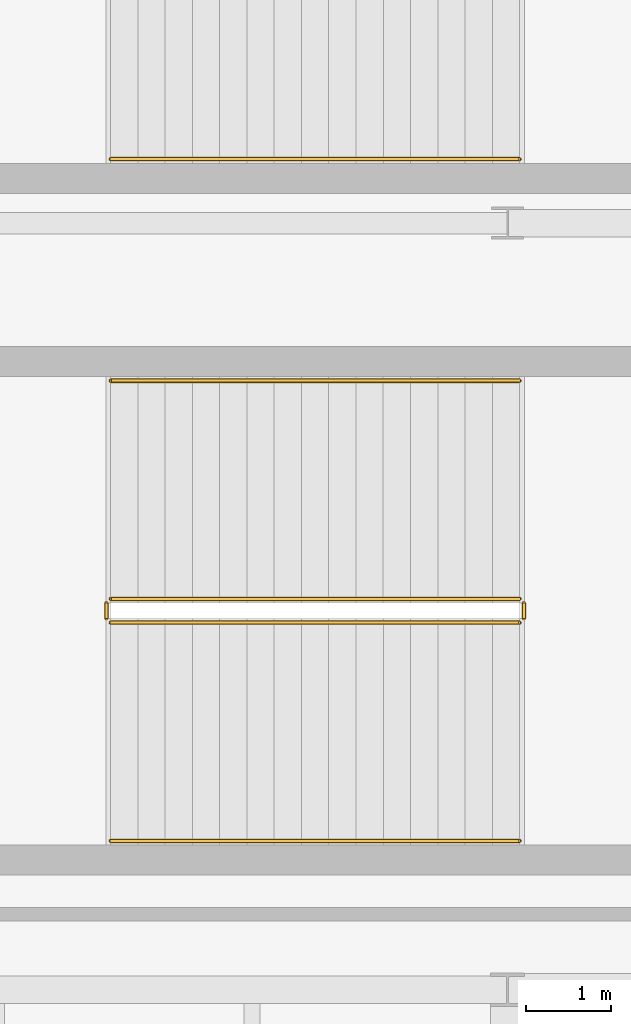
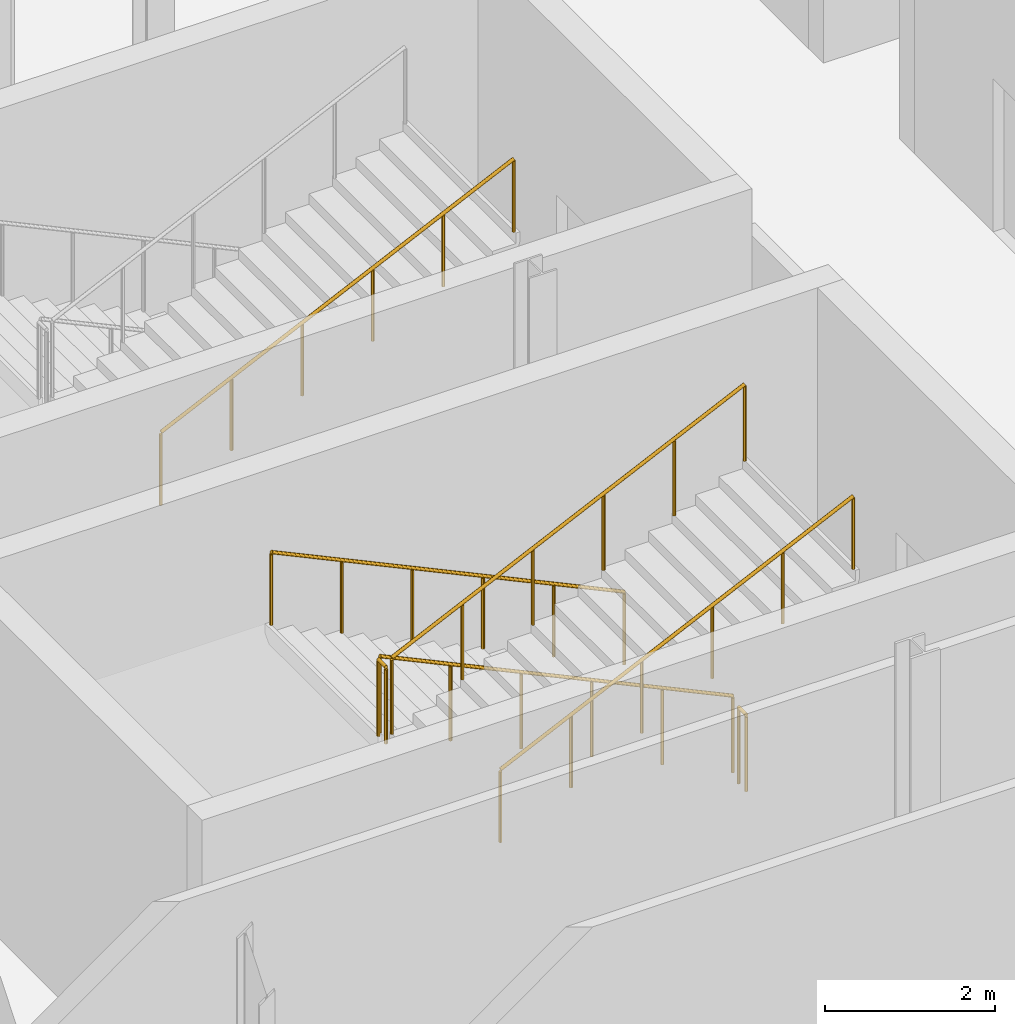
# One storey, part 219 of 224: 7 railings.
"""IFC4 building model written with IfcOpenShell, lengths in metres."""

import ifcopenshell
import ifcopenshell.guid

model = None  # the IFC model being written
_history = None  # IfcOwnerHistory: only IFC2X3 demands one
_inside = {}  # id of a spatial element -> (the spatial element, [elements in it])
_under = {}  # id of a project, library or spatial element -> (it, [spatial elements below it])
_declared = {}  # id of a project -> (the project, [libraries it declares])
_typed = {}  # id of a type object -> (the type object, [elements of that type])
_made_of = {}  # id of a material, layer set ... -> (it, [elements and type objects made of it])


def new_model(schema):
    """Start an empty IFC model of exactly this schema.

    Asked for "IFC4X3", IfcOpenShell would pick the latest addendum, in which some entities
    have other attributes; the version numbers below select the first issue.
    IFC2X3 requires an IfcOwnerHistory on every rooted entity: one is made here for all.
    """
    global model, _history
    if schema == "IFC4X3":
        model = ifcopenshell.file(schema_version=(4, 3, 0, 0))
    else:
        model = ifcopenshell.file(schema=schema)
    _inside.clear()
    _under.clear()
    _declared.clear()
    _typed.clear()
    _made_of.clear()
    _history = None
    if model.schema == "IFC2X3":
        org = make("IfcOrganization", Name="unknown")
        user = make(
            "IfcPersonAndOrganization",
            ThePerson=make("IfcPerson", FamilyName="unknown"),
            TheOrganization=org,
        )
        app = make(
            "IfcApplication",
            ApplicationDeveloper=org,
            Version="unknown",
            ApplicationFullName="unknown",
            ApplicationIdentifier="unknown",
        )
        _history = make(
            "IfcOwnerHistory",
            OwningUser=user,
            OwningApplication=app,
            ChangeAction="ADDED",
            CreationDate=0,
        )
    return model


def make(cls, **values):
    """One entity of the class cls with the attributes given. An attribute that is None is left unset."""
    return model.create_entity(
        cls, **{name: value for name, value in values.items() if value is not None}
    )


def rooted(cls, **values):
    """An entity with a GlobalId (a new one), such as an element, a storey or a relation."""
    return make(cls, GlobalId=ifcopenshell.guid.new(), OwnerHistory=_history, **values)


def si_unit(unit_type, name, prefix=None):
    """IfcSIUnit, for example si_unit("LENGTHUNIT", "METRE", prefix="MILLI")."""
    return make("IfcSIUnit", UnitType=unit_type, Prefix=prefix, Name=name)


def assignment(units):
    """IfcUnitAssignment: the units of a project."""
    return None if units is None else make("IfcUnitAssignment", Units=units)


def point(xyz):
    """IfcCartesianPoint."""
    return None if xyz is None else make("IfcCartesianPoint", Coordinates=xyz)


def direction(xyz):
    """IfcDirection."""
    return None if xyz is None else make("IfcDirection", DirectionRatios=xyz)


def frame(location, z_axis=None, x_axis=None):
    """IfcAxis2Placement3D, a coordinate frame: its origin and axes. An axis left out is left unset."""
    return make(
        "IfcAxis2Placement3D",
        Location=point(location),
        Axis=direction(z_axis),
        RefDirection=direction(x_axis),
    )


def frame_2d(location, x_axis=None):
    """IfcAxis2Placement2D, a coordinate frame in the plane: its origin and x axis."""
    return make(
        "IfcAxis2Placement2D", Location=point(location), RefDirection=direction(x_axis)
    )


def origin():
    """The frame at (0, 0, 0) with its axes left unset."""
    return frame((0.0, 0.0, 0.0))


def origin_2d():
    """The frame at (0, 0) in the plane with its x axis left unset."""
    return frame_2d((0.0, 0.0))


def place(relative_to, where):
    """IfcLocalPlacement: puts the frame where relative to a parent placement (None: the world)."""
    return make(
        "IfcLocalPlacement", PlacementRelTo=relative_to, RelativePlacement=where
    )


def context(
    kind, dimensions, precision=None, world=None, true_north=None, identifier=None
):
    """IfcGeometricRepresentationContext, for example the 3D "Model" context."""
    return make(
        "IfcGeometricRepresentationContext",
        ContextIdentifier=identifier,
        ContextType=kind,
        CoordinateSpaceDimension=dimensions,
        Precision=precision,
        WorldCoordinateSystem=world,
        TrueNorth=true_north,
    )


def subcontext(parent, identifier, kind, view, scale=None):
    """IfcGeometricRepresentationSubContext, for example "Body" below "Model"."""
    return make(
        "IfcGeometricRepresentationSubContext",
        ContextIdentifier=identifier,
        ContextType=kind,
        ParentContext=parent,
        TargetScale=scale,
        TargetView=view,
    )


def project(units=None, contexts=None):
    """IfcProject with its units and contexts."""
    return rooted(
        "IfcProject",
        Name="project",
        RepresentationContexts=contexts,
        UnitsInContext=assignment(units),
    )


def spatial(cls, under=None, at=None, **own):
    """A site, building, storey or space (cls), placed at a placement, below another one or the project."""
    s = rooted(cls, ObjectPlacement=at, **own)
    if under is not None:
        _under.setdefault(under.id(), (under, []))[1].append(s)
    return s


def profile(cls, at=None, kind="AREA", **sizes):
    """A parametric profile (cls). Its sizes go by their IFC names, for example OverallWidth=200.0."""
    return make(cls, ProfileType=kind, Position=at, **sizes)


def circle(**sizes):
    """IfcCircleProfileDef."""
    return profile("IfcCircleProfileDef", **sizes)


def extrude(swept, where, along, depth):
    """IfcExtrudedAreaSolid: the profile swept, set in the frame where, extruded along a direction by depth."""
    return make(
        "IfcExtrudedAreaSolid",
        SweptArea=swept,
        Position=where,
        ExtrudedDirection=direction(along),
        Depth=depth,
    )


def shape(context_of_items, identifier, shape_type, items):
    """IfcShapeRepresentation: the items that make up one representation, for example the "Body"."""
    return make(
        "IfcShapeRepresentation",
        ContextOfItems=context_of_items,
        RepresentationIdentifier=identifier,
        RepresentationType=shape_type,
        Items=items,
    )


def material(Name=None, Category=None):
    """IfcMaterial."""
    return make("IfcMaterial", Name=Name, Category=Category)


def made_of(thing, what):
    """Note that an element or type object is made of a material, layer set ...; save() writes the relation."""
    if what is not None:
        _made_of.setdefault(what.id(), (what, []))[1].append(thing)
    return thing


def type_object(cls, material=None, **own):
    """A type object (cls), such as IfcWallType, which elements share."""
    return made_of(rooted(cls, **own), material)


def element(
    cls,
    number,
    at=None,
    inside=None,
    cuts=None,
    type_object=None,
    material=None,
    context=None,
    identifier="Body",
    shape_type=None,
    held_by="IfcProductDefinitionShape",
    body=None,
    shapes=None,
    **own,
):
    """One element of the class cls, such as IfcWall. Its Tag is "e" and its number.

    at: its placement. inside: the storey or other place that contains it. cuts: it is an
    opening in that element (IfcRelVoidsElement). A single representation is given by context,
    identifier, shape_type and body (its items); several are given by shapes. held_by: the class
    of the entity that holds the representations. save() writes the other relations.
    """
    e = rooted(cls, Tag="e%d" % number, ObjectPlacement=at, **own)
    if body is not None:
        shapes = [shape(context, identifier, shape_type, body)]
    if shapes is not None:
        e.Representation = make(held_by, Representations=shapes)
    if inside is not None:
        _inside.setdefault(inside.id(), (inside, []))[1].append(e)
    if cuts is not None:
        rooted(
            "IfcRelVoidsElement", RelatingBuildingElement=cuts, RelatedOpeningElement=e
        )
    if type_object is not None:
        _typed.setdefault(type_object.id(), (type_object, []))[1].append(e)
    return made_of(e, material)


def aggregate(whole, parts):
    """IfcRelAggregates: a whole, such as a stair, and the parts it consists of."""
    return rooted("IfcRelAggregates", RelatingObject=whole, RelatedObjects=parts)


def save(model, path):
    """Write the relations noted so far, then the file.

    IfcRelAggregates (storeys below a building ...), IfcRelContainedInSpatialStructure (elements
    in a storey), IfcRelDefinesByType, IfcRelAssociatesMaterial and IfcRelDeclares: one each for
    every whole, place, type object, material and project.
    """
    for whole, parts in _under.values():
        aggregate(whole, parts)
    for where, things in _inside.values():
        rooted(
            "IfcRelContainedInSpatialStructure",
            RelatedElements=things,
            RelatingStructure=where,
        )
    for kind, things in _typed.values():
        rooted("IfcRelDefinesByType", RelatedObjects=things, RelatingType=kind)
    for what, things in _made_of.values():
        rooted("IfcRelAssociatesMaterial", RelatedObjects=things, RelatingMaterial=what)
    for by, libraries in _declared.values():
        rooted("IfcRelDeclares", RelatingContext=by, RelatedDefinitions=libraries)
    model.write(path)


model = new_model("IFC4")

# Units and contexts
model_context = context("Model", 3, precision=1e-05, world=origin(), true_north=direction((0.0, 1.0)))
body_context = subcontext(model_context, "Body", "Model", "MODEL_VIEW")
ifc_project = project(units=[si_unit("LENGTHUNIT", "METRE"), si_unit("AREAUNIT", "SQUARE_METRE"), si_unit("VOLUMEUNIT", "CUBIC_METRE"), si_unit("PLANEANGLEUNIT", "RADIAN"), si_unit("MASSUNIT", "GRAM", prefix="KILO")], contexts=[model_context])

# Site, building, storey
site_placement = place(None, origin())
site = spatial("IfcSite", under=ifc_project, at=site_placement, CompositionType="ELEMENT")
building_placement = place(site_placement, origin())
building = spatial("IfcBuilding", under=site, at=building_placement, Name="Qamarlyn Nura Convention Centre", CompositionType="ELEMENT")
storey_placement = place(building_placement, frame((0.0, 0.0, 10.800048828125)))
storey = spatial("IfcBuildingStorey", under=building, at=storey_placement, Name="L02", CompositionType="ELEMENT", Elevation=10.800048828125)

# Railings
ifc_material = material(Name="Marine Grade 316 stainless steel", Category="steel")
railing_type_1 = type_object("IfcRailingType", Name="GRD-STAIR-112", PredefinedType="BALUSTRADE", material=ifc_material)
railing_1_placement = place(storey_placement, frame((171.139892578125, 58.590087890625, 0.14990234375)))
element("IfcRailing", 1, at=railing_1_placement, inside=storey, type_object=railing_type_1, Name="L02 ST-11 stair guard 1", PredefinedType="BALUSTRADE", context=body_context, shape_type="SweptSolid", body=[
    extrude(circle(Radius=0.02392578125, at=origin_2d()), frame((0.0, 0.0, 1.09619140625), z_axis=(-0.905452298538, 0.0, 0.424448035774), x_axis=(0.0, -1.0, 0.0)), (0.0, 0.0, 1.0), 5.301025390625),
    extrude(circle(Radius=0.02099609375, at=origin_2d()), origin(), (0.0, 0.0, 1.0), 1.070068359375),
    extrude(circle(Radius=0.02099609375, at=origin_2d()), frame((-0.9599609375, 0.0, 0.449951171875)), (0.0, 0.0, 1.0), 1.070068359375),
    extrude(circle(Radius=0.02099609375, at=origin_2d()), frame((-1.919921875, 0.0, 0.89990234375)), (0.0, 0.0, 1.0), 1.070068359375),
    extrude(circle(Radius=0.02099609375, at=origin_2d()), frame((-2.8798828125, 0.0, 1.35009765625)), (0.0, 0.0, 1.0), 1.070068359375),
    extrude(circle(Radius=0.02099609375, at=origin_2d()), frame((-3.83984375, 0.0, 1.800048828125)), (0.0, 0.0, 1.0), 1.070068359375),
    extrude(circle(Radius=0.02099609375, at=origin_2d()), frame((-4.7998046875, 0.0, 2.25)), (0.0, 0.0, 1.0), 1.070068359375),
])
railing_2_placement = place(storey_placement, frame((166.2900390625, 58.5400390625, 2.39990234375)))
element("IfcRailing", 2, at=railing_2_placement, inside=storey, type_object=railing_type_1, Name="L02 ST-11 stair guard 2", PredefinedType="BALUSTRADE", context=body_context, shape_type="SweptSolid", body=[
    extrude(circle(Radius=0.02392578125, at=origin_2d()), frame((0.0, 0.0, 1.09619140625), z_axis=(0.0, -1.0, 0.0), x_axis=(1.0, 0.0, 0.0)), (0.0, 0.0, 1.0), 0.179931640625),
    extrude(circle(Radius=0.02099609375, at=origin_2d()), origin(), (0.0, 0.0, 1.0), 1.070068359375),
    extrude(circle(Radius=0.02099609375, at=origin_2d()), frame((0.0, -0.179931640625, 0.0)), (0.0, 0.0, 1.0), 1.070068359375),
])
railing_3_placement = place(storey_placement, frame((166.340087890625, 58.31005859375, 2.550048828125)))
element("IfcRailing", 3, at=railing_3_placement, inside=storey, type_object=railing_type_1, Name="L02 ST-11 stair guard 3", PredefinedType="BALUSTRADE", context=body_context, shape_type="SweptSolid", body=[
    extrude(circle(Radius=0.02392578125, at=origin_2d()), frame((0.0, 0.0, 1.09619140625), z_axis=(0.905452298538, 0.0, 0.424448035774), x_axis=(0.0, 1.0, 0.0)), (0.0, 0.0, 1.0), 5.301025390625),
    extrude(circle(Radius=0.02099609375, at=origin_2d()), origin(), (0.0, 0.0, 1.0), 1.070068359375),
    extrude(circle(Radius=0.02099609375, at=origin_2d()), frame((0.9599609375, 0.0, 0.449951171875)), (0.0, 0.0, 1.0), 1.070068359375),
    extrude(circle(Radius=0.02099609375, at=origin_2d()), frame((1.919921875, 0.0, 0.89990234375)), (0.0, 0.0, 1.0), 1.070068359375),
    extrude(circle(Radius=0.02099609375, at=origin_2d()), frame((2.8798828125, 0.0, 1.35009765625)), (0.0, 0.0, 1.0), 1.070068359375),
    extrude(circle(Radius=0.02099609375, at=origin_2d()), frame((3.83984375, 0.0, 1.800048828125)), (0.0, 0.0, 1.0), 1.070068359375),
    extrude(circle(Radius=0.02099609375, at=origin_2d()), frame((4.7998046875, 0.0, 2.25)), (0.0, 0.0, 1.0), 1.070068359375),
])
railing_4_placement = place(storey_placement, frame((171.18994140625, 58.5400390625, 0.0)))
element("IfcRailing", 4, at=railing_4_placement, inside=storey, type_object=railing_type_1, Name="L02 ST-11 stair guard 4", PredefinedType="BALUSTRADE", context=body_context, shape_type="SweptSolid", body=[
    extrude(circle(Radius=0.02392578125, at=origin_2d()), frame((0.0, 0.0, 1.09619140625), z_axis=(0.0, -1.0, 0.0), x_axis=(1.0, 0.0, 0.0)), (0.0, 0.0, 1.0), 0.179931640625),
    extrude(circle(Radius=0.02099609375, at=origin_2d()), origin(), (0.0, 0.0, 1.0), 1.070068359375),
    extrude(circle(Radius=0.02099609375, at=origin_2d()), frame((0.0, -0.179931640625, 0.0)), (0.0, 0.0, 1.0), 1.070068359375),
])
railing_type_2 = type_object("IfcRailingType", Name="HRL-STAIR-090", PredefinedType="HANDRAIL", material=ifc_material)
railing_5_placement = place(storey_placement, frame((171.139892578125, 61.14990234375, 0.30224609375)))
element("IfcRailing", 5, at=railing_5_placement, inside=storey, type_object=railing_type_2, Name="L02 ST-11 stair handrail 1", PredefinedType="HANDRAIL", context=body_context, shape_type="SweptSolid", body=[
    extrude(circle(Radius=0.02392578125, at=origin_2d()), frame((0.0, 0.0, 0.88818359375), z_axis=(-0.905452298538, 0.0, 0.424448035774), x_axis=(0.0, -1.0, 0.0)), (0.0, 0.0, 1.0), 5.301025390625),
    extrude(circle(Radius=0.02099609375, at=origin_2d()), frame((0.0, 0.0, -0.155029296875)), (0.0, 0.0, 1.0), 1.01708984375),
    extrude(circle(Radius=0.02099609375, at=origin_2d()), frame((-0.9599609375, 0.0, 0.294921875)), (0.0, 0.0, 1.0), 1.01708984375),
    extrude(circle(Radius=0.02099609375, at=origin_2d()), frame((-1.919921875, 0.0, 0.744873046875)), (0.0, 0.0, 1.0), 1.01708984375),
    extrude(circle(Radius=0.02099609375, at=origin_2d()), frame((-2.8798828125, 0.0, 1.195068359375)), (0.0, 0.0, 1.0), 1.01708984375),
    extrude(circle(Radius=0.02099609375, at=origin_2d()), frame((-3.83984375, 0.0, 1.64501953125)), (0.0, 0.0, 1.0), 1.01708984375),
    extrude(circle(Radius=0.02099609375, at=origin_2d()), frame((-4.7998046875, 0.0, 2.094970703125)), (0.0, 0.0, 1.0), 1.01708984375),
])
for number, where, name in (
    (6, (166.340087890625, 55.75, 2.7021484375), "L02 ST-11 stair handrail 2"),
    (7, (166.340087890625, 63.75, 2.7021484375), "L02 ST-12 stair handrail 2"),
):
    element("IfcRailing", number, at=place(storey_placement, frame(where)), inside=storey, type_object=railing_type_2, Name=name, PredefinedType="HANDRAIL", context=body_context, shape_type="SweptSolid", body=[
        extrude(circle(Radius=0.02392578125, at=origin_2d()), frame((0.0, 0.0, 0.88818359375), z_axis=(0.905452298538, 0.0, 0.424448035774), x_axis=(0.0, 1.0, 0.0)), (0.0, 0.0, 1.0), 5.301025390625),
        extrude(circle(Radius=0.02099609375, at=origin_2d()), frame((0.0, 0.0, -0.155029296875)), (0.0, 0.0, 1.0), 1.01708984375),
        extrude(circle(Radius=0.02099609375, at=origin_2d()), frame((0.9599609375, 0.0, 0.294921875)), (0.0, 0.0, 1.0), 1.01708984375),
        extrude(circle(Radius=0.02099609375, at=origin_2d()), frame((1.919921875, 0.0, 0.744873046875)), (0.0, 0.0, 1.0), 1.01708984375),
        extrude(circle(Radius=0.02099609375, at=origin_2d()), frame((2.8798828125, 0.0, 1.195068359375)), (0.0, 0.0, 1.0), 1.01708984375),
        extrude(circle(Radius=0.02099609375, at=origin_2d()), frame((3.83984375, 0.0, 1.64501953125)), (0.0, 0.0, 1.0), 1.01708984375),
        extrude(circle(Radius=0.02099609375, at=origin_2d()), frame((4.7998046875, 0.0, 2.094970703125)), (0.0, 0.0, 1.0), 1.01708984375),
    ])

save(model, "model.ifc")
